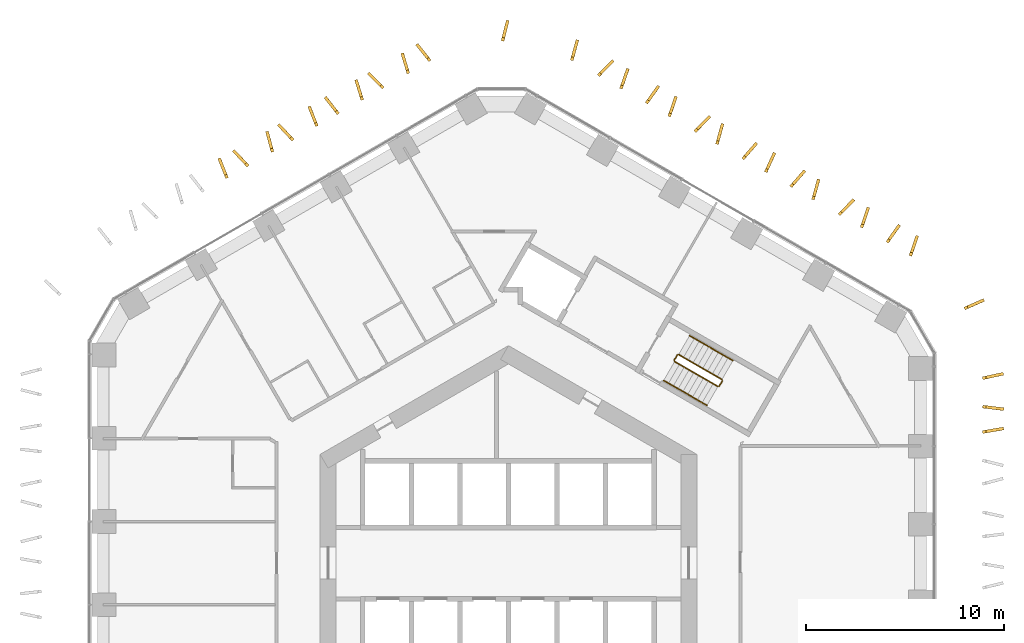
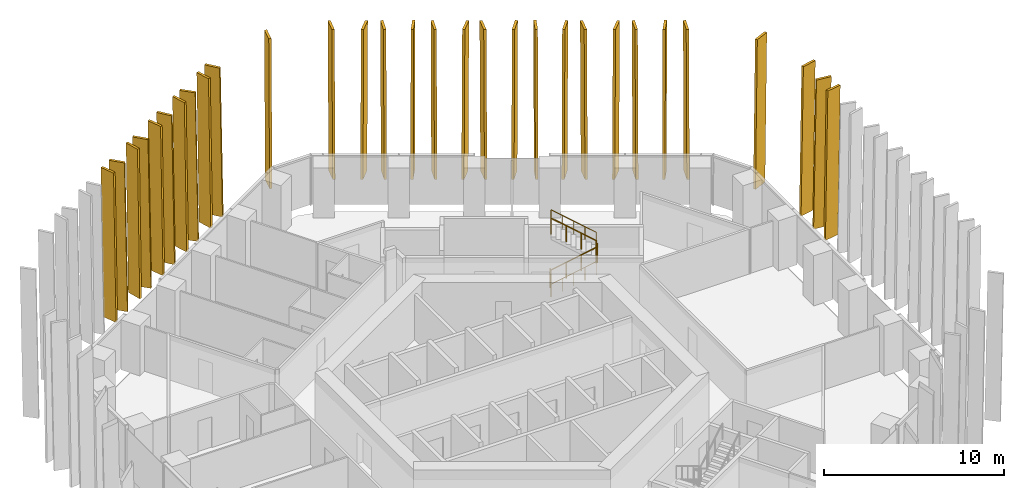
# One storey, part 19 of 19: 30 shading devices, 8 railings.
"""IFC4 building model written with IfcOpenShell, lengths in metres."""

from ifc_helpers import new_model, si_unit, direction, frame, origin, origin_2d, place, context, subcontext, project, spatial, polyline, circle, outline, extrude, material, layer, layer_set, type_object, element, save


model = new_model("IFC4")

# Units and contexts
model_context = context("Model", 3, precision=1e-05, world=origin(), true_north=direction((0.0, 1.0)))
body_context = subcontext(model_context, "Body", "Model", "MODEL_VIEW")
ifc_project = project(units=[si_unit("LENGTHUNIT", "METRE"), si_unit("AREAUNIT", "SQUARE_METRE"), si_unit("VOLUMEUNIT", "CUBIC_METRE"), si_unit("PLANEANGLEUNIT", "RADIAN"), si_unit("MASSUNIT", "GRAM", prefix="KILO")], contexts=[model_context])

# Site, building, storey
site_placement = place(None, origin())
site = spatial("IfcSite", under=ifc_project, at=site_placement, CompositionType="ELEMENT")
building_placement = place(site_placement, origin())
building = spatial("IfcBuilding", under=site, at=building_placement, Name="Ayvan Gate Tower", CompositionType="ELEMENT")
storey_placement = place(building_placement, frame((0.0, 0.0, 45.89990234375)))
storey = spatial("IfcBuildingStorey", under=building, at=storey_placement, Name="L11", CompositionType="ELEMENT", Elevation=45.89990234375)

# Shading devices
ifc_material_1 = material(Name="Bronze anodised aluminium", Category="aluminium")
ifc_layer = layer(ifc_material_1, 0.14990234375)
ifc_layer_set = layer_set([ifc_layer], Name="Bronze anodised aluminium")
shading_device_type = type_object("IfcShadingDeviceType", Name="Bronze fin 900 x 150", PredefinedType="USERDEFINED", material=ifc_layer_set)
shading_device_1_placement = place(storey_placement, frame((-3.8984375, 25.379150390625, 0.0), z_axis=(0.784507651284, 0.620119118546, 0.000154569265), x_axis=(-0.620119125954, 0.784507660655, 0.0)))
element("IfcShadingDevice", 1, at=shading_device_1_placement, inside=storey, type_object=shading_device_type, Name="Bronze fin FG03.1.1", ObjectType="FIN", PredefinedType="USERDEFINED", context=body_context, shape_type="SweptSolid", body=[
    extrude(outline(polyline([(0.0, 0.0), (0.8999971866563695, 0.0), (1.0751908851391143, 10.080078245414892), (0.17519369848274474, 10.080078245414892), (0.0, 0.0)])), origin(), (0.0, 0.0, -1.0), 0.14990234375),
])
shading_device_2_placement = place(storey_placement, frame((-4.978271484375, 24.718994140625, 0.0), z_axis=(0.957527131113, 0.288343155913, 0.000132742928), x_axis=(-0.288343158453, 0.957527139549, 0.0)))
element("IfcShadingDevice", 2, at=shading_device_2_placement, inside=storey, type_object=shading_device_type, Name="Bronze fin FG03.1.2", ObjectType="FIN", PredefinedType="USERDEFINED", context=body_context, shape_type="SweptSolid", body=[
    extrude(outline(polyline([(0.0, 0.0), (0.9000438427842659, 6.776263578034403e-21), (1.075101176813384, 10.08007821380894), (0.17505733402911802, 10.08007821380894), (0.0, 0.0)])), origin(), (0.0, 0.0, -1.0), 0.14990234375),
])
shading_device_3_placement = place(storey_placement, frame((-6.265869140625, 24.015625, 0.0), z_axis=(0.707106772787, 0.707106772787, 0.00015413585), x_axis=(-0.707106781187, 0.707106781187, 0.0)))
element("IfcShadingDevice", 3, at=shading_device_3_placement, inside=storey, type_object=shading_device_type, Name="Bronze fin FG03.1.3", ObjectType="FIN", PredefinedType="USERDEFINED", context=body_context, shape_type="SweptSolid", body=[
    extrude(outline(polyline([(0.0, 0.0), (0.900111024684243, 0.0), (1.075334018557374, 10.080078244740545), (0.17522299387313128, 10.080078244740545), (0.0, 0.0)])), origin(), (0.0, 0.0, -1.0), 0.14990234375),
])
shading_device_4_placement = place(storey_placement, frame((-7.30224609375, 23.3779296875, 0.0), z_axis=(0.956068897735, 0.293142010216, 0.000156941033), x_axis=(-0.29314201383, 0.956068909508, 2.0353e-08)))
element("IfcShadingDevice", 4, at=shading_device_4_placement, inside=storey, type_object=shading_device_type, Name="Bronze fin FG03.1.4", ObjectType="FIN", PredefinedType="USERDEFINED", context=body_context, shape_type="SweptSolid", body=[
    extrude(outline(polyline([(0.0, 0.0), (0.899920252455125, 6.776263578034403e-21), (1.0750351571015468, 10.080078227258268), (0.1751864725208921, 10.080078263889243), (0.0, 0.0)])), origin(), (0.0, 0.0, -1.0), 0.14990234375),
])
shading_device_5_placement = place(storey_placement, frame((-8.525146484375, 22.70751953125, 0.0), z_axis=(0.787545056934, 0.6162570585, 0.000145424872), x_axis=(-0.616257065015, 0.787545065263, -1.2153e-08)))
element("IfcShadingDevice", 5, at=shading_device_5_placement, inside=storey, type_object=shading_device_type, Name="Bronze fin FG03.1.5", ObjectType="FIN", PredefinedType="USERDEFINED", context=body_context, shape_type="SweptSolid", body=[
    extrude(outline(polyline([(0.0, 0.0), (0.9001872366298778, 1.3552527156068805e-20), (1.075304225865084, 10.080078244656733), (0.17530926097965524, 10.080078222779404), (0.0, 0.0)])), origin(), (0.0, 0.0, -1.0), 0.14990234375),
])
shading_device_6_placement = place(storey_placement, frame((-9.59033203125, 22.067626953125, 0.0), z_axis=(0.929845275734, 0.367950734111, 0.000143045525), x_axis=(-0.367950737878, 0.929845285246, 1.8039e-08)))
element("IfcShadingDevice", 6, at=shading_device_6_placement, inside=storey, type_object=shading_device_type, Name="Bronze fin FG03.1.6", ObjectType="FIN", PredefinedType="USERDEFINED", context=body_context, shape_type="SweptSolid", body=[
    extrude(outline(polyline([(0.0, 0.0), (0.9001022434387806, 0.0), (1.075230809834381, 10.080078208733719), (0.17521839811871526, 10.080078241205292), (0.0, 0.0)])), origin(), (0.0, 0.0, -1.0), 0.14990234375),
])
shading_device_7_placement = place(storey_placement, frame((-10.81396484375, 21.389404296875, 0.0), z_axis=(0.729198712596, 0.684301991266, 0.00014932253), x_axis=(-0.684301998897, 0.729198720724, 1.4768e-08)))
element("IfcShadingDevice", 7, at=shading_device_7_placement, inside=storey, type_object=shading_device_type, Name="Bronze fin FG03.1.7", ObjectType="FIN", PredefinedType="USERDEFINED", context=body_context, shape_type="SweptSolid", body=[
    extrude(outline(polyline([(0.0, 0.0), (0.9000439708308932, 0.0), (1.0751377782637999, 10.080078221501367), (0.1752608733506063, 10.080078248082346), (0.0, 0.0)])), origin(), (0.0, 0.0, -1.0), 0.14990234375),
])
shading_device_8_placement = place(storey_placement, frame((-11.830322265625, 20.75830078125, 0.0), z_axis=(0.965937142762, 0.258776757707, 0.000160947293), x_axis=(-0.258776761059, 0.965937155273, 0.0)))
element("IfcShadingDevice", 8, at=shading_device_8_placement, inside=storey, type_object=shading_device_type, Name="Bronze fin FG03.1.8", ObjectType="FIN", PredefinedType="USERDEFINED", context=body_context, shape_type="SweptSolid", body=[
    extrude(outline(polyline([(0.0, 0.0), (0.9000427831971298, 6.776263578034403e-21), (1.0751276739238345, 10.08007825555733), (0.17508489072670452, 10.08007825555733), (0.0, 0.0)])), origin(), (0.0, 0.0, -1.0), 0.14990234375),
])
shading_device_9_placement = place(storey_placement, frame((-13.08251953125, 20.07958984375, 0.0), z_axis=(0.729198712596, 0.684301991266, 0.00014932253), x_axis=(-0.684301998894, 0.729198720727, -1.4771e-08)))
element("IfcShadingDevice", 9, at=shading_device_9_placement, inside=storey, type_object=shading_device_type, Name="Bronze fin FG03.1.9", ObjectType="FIN", PredefinedType="USERDEFINED", context=body_context, shape_type="SweptSolid", body=[
    extrude(outline(polyline([(0.0, 0.0), (0.8998769049131942, 0.0), (1.0751374805137943, 10.08007825325928), (0.17509350968290158, 10.080078226673367), (0.0, 0.0)])), origin(), (0.0, 0.0, -1.0), 0.14990234375),
])
shading_device_10_placement = place(storey_placement, frame((-14.127197265625, 19.4482421875, 0.0), z_axis=(0.929845275734, 0.367950734111, 0.000143045525), x_axis=(-0.367950737873, 0.929845285248, -1.804e-08)))
element("IfcShadingDevice", 10, at=shading_device_10_placement, inside=storey, type_object=shading_device_type, Name="Bronze fin FG03.1.10", ObjectType="FIN", PredefinedType="USERDEFINED", context=body_context, shape_type="SweptSolid", body=[
    extrude(outline(polyline([(0.0, 0.0), (0.9000124117156665, 6.776263578034403e-21), (1.075230446154939, 10.080078247526997), (0.17512820271615884, 10.08007821505218), (0.0, 0.0)])), origin(), (0.0, 0.0, -1.0), 0.14990234375),
])
shading_device_11_placement = place(storey_placement, frame((23.928955078125, 6.53466796875, 0.0), z_axis=(0.167917139073, -0.985801104028, 0.000133053715), x_axis=(0.985801112754, 0.16791714056, 0.0)))
element("IfcShadingDevice", 11, at=shading_device_11_placement, inside=storey, type_object=shading_device_type, Name="Bronze fin FG03.9.77", ObjectType="FIN", PredefinedType="USERDEFINED", context=body_context, shape_type="SweptSolid", body=[
    extrude(outline(polyline([(0.0, 0.0), (0.8999858285529956, 0.0), (1.0753078369581042, 10.080078214225281), (0.17532200840510856, 10.080078214225281), (0.0, 0.0)])), origin(), (0.0, 0.0, -1.0), 0.14990234375),
])
shading_device_12_placement = place(storey_placement, frame((23.9091796875, 7.818359375, 0.0), z_axis=(-0.120193619605, -0.992750460801, 0.000128009675), x_axis=(0.992750468934, -0.12019362059, 0.0)))
element("IfcShadingDevice", 12, at=shading_device_12_placement, inside=storey, type_object=shading_device_type, Name="Bronze fin FG03.9.78", ObjectType="FIN", PredefinedType="USERDEFINED", context=body_context, shape_type="SweptSolid", body=[
    extrude(outline(polyline([(0.0, 0.0), (0.8998339208379718, 0.0), (1.075021119963464, 10.080078207588485), (0.17518719912549244, 10.080078207588485), (0.0, 0.0)])), origin(), (0.0, 0.0, -1.0), 0.14990234375),
])
shading_device_13_placement = place(storey_placement, frame((23.930419921875, 9.249755859375, 0.0), z_axis=(0.213510782706, -0.976940696979, 0.000142317936), x_axis=(0.976940706873, 0.213510784868, 0.0)))
element("IfcShadingDevice", 13, at=shading_device_13_placement, inside=storey, type_object=shading_device_type, Name="Bronze fin FG03.9.79", ObjectType="FIN", PredefinedType="USERDEFINED", context=body_context, shape_type="SweptSolid", body=[
    extrude(outline(polyline([(0.0, 0.0), (0.8999014827001781, 3.3881317890172014e-21), (1.0751472614123225, 10.080078227082943), (0.17524577871214445, 10.080078227082943), (0.0, 0.0)])), origin(), (0.0, 0.0, -1.0), 0.14990234375),
])
shading_device_14_placement = place(storey_placement, frame((23.03173828125, 12.77099609375, 0.0), z_axis=(0.404060917314, -0.914732066589, 0.000146470785), x_axis=(0.914732076402, 0.404060921646, -1.8174e-08)))
element("IfcShadingDevice", 14, at=shading_device_14_placement, inside=storey, type_object=shading_device_type, Name="Bronze fin FG03.10.80", ObjectType="FIN", PredefinedType="USERDEFINED", context=body_context, shape_type="SweptSolid", body=[
    extrude(outline(polyline([(0.0, 0.0), (0.899932439931201, -1.3552527156068805e-20), (1.0751853843685557, 10.080078252667619), (0.17515429675140598, 10.080078219955492), (0.0, 0.0)])), origin(), (0.0, 0.0, -1.0), 0.14990234375),
])
shading_device_15_placement = place(storey_placement, frame((20.345703125, 15.47412109375, 0.0), z_axis=(0.945279225247, -0.326262419162, 0.00014198174), x_axis=(0.326262422448, 0.945279234776, 1.8208e-08)))
element("IfcShadingDevice", 15, at=shading_device_15_placement, inside=storey, type_object=shading_device_type, Name="Bronze fin FG03.11.81", ObjectType="FIN", PredefinedType="USERDEFINED", context=body_context, shape_type="SweptSolid", body=[
    extrude(outline(polyline([(0.0, 0.0), (0.899785226011098, 0.0), (1.0749572782969268, 10.080078207028322), (0.1750923983740984, 10.08007823979647), (0.0, 0.0)])), origin(), (0.0, 0.0, -1.0), 0.14990234375),
])
shading_device_16_placement = place(storey_placement, frame((19.162353515625, 16.136474609375, 0.0), z_axis=(0.81576313658, -0.578386101493, 0.0001503228), x_axis=(0.578386108028, 0.815763145797, 0.0)))
element("IfcShadingDevice", 16, at=shading_device_16_placement, inside=storey, type_object=shading_device_type, Name="Bronze fin FG03.11.82", ObjectType="FIN", PredefinedType="USERDEFINED", context=body_context, shape_type="SweptSolid", body=[
    extrude(outline(polyline([(0.0, 0.0), (0.8999313871402703, -1.3552527156068805e-20), (1.0751322653545705, 10.080078238889485), (0.17520087821430005, 10.080078238889485), (0.0, 0.0)])), origin(), (0.0, 0.0, -1.0), 0.14990234375),
])
shading_device_17_placement = place(storey_placement, frame((17.879150390625, 16.898193359375, 0.0), z_axis=(0.9461300792, -0.323786738215, 0.000146251027), x_axis=(0.323786741681, 0.946130089317, -2.5195e-08)))
element("IfcShadingDevice", 17, at=shading_device_17_placement, inside=storey, type_object=shading_device_type, Name="Bronze fin FG03.11.83", ObjectType="FIN", PredefinedType="USERDEFINED", context=body_context, shape_type="SweptSolid", body=[
    extrude(outline(polyline([(0.0, 0.0), (0.8998430153849146, -6.776263578034403e-21), (1.0750113147468063, 10.080078259888335), (0.17501636006803542, 10.08007821454109), (0.0, 0.0)])), origin(), (0.0, 0.0, -1.0), 0.14990234375),
])
shading_device_18_placement = place(storey_placement, frame((16.728271484375, 17.5205078125, 0.0), z_axis=(0.712174472977, -0.702002489455, 0.000157605631), x_axis=(0.702002498175, 0.71217448182, -1.5007e-08)))
element("IfcShadingDevice", 18, at=shading_device_18_placement, inside=storey, type_object=shading_device_type, Name="Bronze fin FG03.11.84", ObjectType="FIN", PredefinedType="USERDEFINED", context=body_context, shape_type="SweptSolid", body=[
    extrude(outline(polyline([(0.0, 0.0), (0.8999610547009942, 0.0), (1.0752004735475627, 10.080078266327869), (0.1750655481234681, 10.08007823931365), (0.0, 0.0)])), origin(), (0.0, 0.0, -1.0), 0.14990234375),
])
shading_device_19_placement = place(storey_placement, frame((15.433349609375, 18.3115234375, 0.0), z_axis=(0.963529558282, -0.267601888864, 0.000139261925), x_axis=(0.267601891461, 0.963529567624, -1.8199e-08)))
element("IfcShadingDevice", 19, at=shading_device_19_placement, inside=storey, type_object=shading_device_type, Name="Bronze fin FG03.11.85", ObjectType="FIN", PredefinedType="USERDEFINED", context=body_context, shape_type="SweptSolid", body=[
    extrude(outline(polyline([(0.0, 0.0), (0.9000439675473473, -6.776263578034403e-21), (1.0752146684217743, 10.080078242313599), (0.1752360333674597, 10.080078209555271), (0.0, 0.0)])), origin(), (0.0, 0.0, -1.0), 0.14990234375),
])
shading_device_20_placement = place(storey_placement, frame((14.29736328125, 18.93310546875, 0.0), z_axis=(0.755693550164, -0.654925368582, 0.0001408134), x_axis=(0.654925375074, 0.755693557657, 1.4433e-08)))
element("IfcShadingDevice", 20, at=shading_device_20_placement, inside=storey, type_object=shading_device_type, Name="Bronze fin FG03.11.86", ObjectType="FIN", PredefinedType="USERDEFINED", context=body_context, shape_type="SweptSolid", body=[
    extrude(outline(polyline([(0.0, 0.0), (0.8999883073878978, 0.0), (1.075233547422928, 10.080078209416909), (0.17508534614463123, 10.080078235398654), (0.0, 0.0)])), origin(), (0.0, 0.0, -1.0), 0.14990234375),
])
shading_device_21_placement = place(storey_placement, frame((13.041748046875, 19.686279296875, 0.0), z_axis=(0.9084430624, -0.418008587387, 0.000152474225), x_axis=(0.418008592246, 0.90844307296, 0.0)))
element("IfcShadingDevice", 21, at=shading_device_21_placement, inside=storey, type_object=shading_device_type, Name="Bronze fin FG03.11.87", ObjectType="FIN", PredefinedType="USERDEFINED", context=body_context, shape_type="SweptSolid", body=[
    extrude(outline(polyline([(0.0, 0.0), (0.9000310283186577, 6.776263578034403e-21), (1.0750838349192409, 10.080078242172792), (0.17505280660058326, 10.080078242172792), (0.0, 0.0)])), origin(), (0.0, 0.0, -1.0), 0.14990234375),
])
shading_device_22_placement = place(storey_placement, frame((11.874755859375, 20.33154296875, 0.0), z_axis=(0.754874067006, -0.655869742731, 0.000153399639), x_axis=(0.655869750448, 0.754874075888, 0.0)))
element("IfcShadingDevice", 22, at=shading_device_22_placement, inside=storey, type_object=shading_device_type, Name="Bronze fin FG03.11.88", ObjectType="FIN", PredefinedType="USERDEFINED", context=body_context, shape_type="SweptSolid", body=[
    extrude(outline(polyline([(0.0, 0.0), (0.9000751000436222, 1.3552527156068805e-20), (1.0753183981743453, 10.080078243599427), (0.17524329813072306, 10.080078243599427), (0.0, 0.0)])), origin(), (0.0, 0.0, -1.0), 0.14990234375),
])
shading_device_23_placement = place(storey_placement, frame((10.587890625, 21.109130859375, 0.0), z_axis=(0.963688679295, -0.267028287297, 0.000152256178), x_axis=(0.267028290389, 0.963688690466, 1.9899e-08)))
element("IfcShadingDevice", 23, at=shading_device_23_placement, inside=storey, type_object=shading_device_type, Name="Bronze fin FG03.11.89", ObjectType="FIN", PredefinedType="USERDEFINED", context=body_context, shape_type="SweptSolid", body=[
    extrude(outline(polyline([(0.0, 0.0), (0.9000834362715342, -6.776263578034403e-21), (1.0752553957709845, 10.080078220441019), (0.17510676704574202, 10.080078256264475), (0.0, 0.0)])), origin(), (0.0, 0.0, -1.0), 0.14990234375),
])
shading_device_24_placement = place(storey_placement, frame((9.4599609375, 21.716796875, 0.0), z_axis=(0.712712837444, -0.701455907757, 0.000144274718), x_axis=(0.701455915056, 0.712712844863, 1.3724e-08)))
element("IfcShadingDevice", 24, at=shading_device_24_placement, inside=storey, type_object=shading_device_type, Name="Bronze fin FG03.11.90", ObjectType="FIN", PredefinedType="USERDEFINED", context=body_context, shape_type="SweptSolid", body=[
    extrude(outline(polyline([(0.0, 0.0), (0.9001402228113331, 0.0), (1.0752071621098593, 10.08007821515292), (0.17524094145791644, 10.080078239858137), (0.0, 0.0)])), origin(), (0.0, 0.0, -1.0), 0.14990234375),
])
shading_device_25_placement = place(storey_placement, frame((8.17724609375, 22.49951171875, 0.0), z_axis=(0.946005363107, -0.324150941624, 0.000141481747), x_axis=(0.324150944869, 0.946005372575, -6.221e-09)))
element("IfcShadingDevice", 25, at=shading_device_25_placement, inside=storey, type_object=shading_device_type, Name="Bronze fin FG03.11.91", ObjectType="FIN", PredefinedType="USERDEFINED", context=body_context, shape_type="SweptSolid", body=[
    extrude(outline(polyline([(0.0, 0.0), (0.8999221467985977, 0.0), (1.0751691356561357, 10.080078232575405), (0.17501603051462417, 10.080078221377326), (0.0, 0.0)])), origin(), (0.0, 0.0, -1.0), 0.14990234375),
])
shading_device_26_placement = place(storey_placement, frame((7.016357421875, 23.148681640625, 0.0), z_axis=(0.814914028169, -0.579581831286, 0.000165943859), x_axis=(0.579581839268, 0.814914039387, -1.8341e-08)))
element("IfcShadingDevice", 26, at=shading_device_26_placement, inside=storey, type_object=shading_device_type, Name="Bronze fin FG03.11.92", ObjectType="FIN", PredefinedType="USERDEFINED", context=body_context, shape_type="SweptSolid", body=[
    extrude(outline(polyline([(0.0, 0.0), (0.9000410558680485, 0.0), (1.0752393385926238, 10.080078283510257), (0.17533978219705312, 10.08007825049772), (0.0, 0.0)])), origin(), (0.0, 0.0, -1.0), 0.14990234375),
])
shading_device_27_placement = place(storey_placement, frame((5.74462890625, 23.90380859375, 0.0), z_axis=(0.944633949696, -0.328126008661, 0.000153366461), x_axis=(0.328126012523, 0.944633960805, -1.9651e-08)))
element("IfcShadingDevice", 27, at=shading_device_27_placement, inside=storey, type_object=shading_device_type, Name="Bronze fin FG03.11.93", ObjectType="FIN", PredefinedType="USERDEFINED", context=body_context, shape_type="SweptSolid", body=[
    extrude(outline(polyline([(0.0, 0.0), (0.8999628727234198, 6.776263578034403e-21), (1.0751316078001638, 10.080078264675286), (0.17524884396652013, 10.080078229306945), (0.0, 0.0)])), origin(), (0.0, 0.0, -1.0), 0.14990234375),
])
shading_device_28_placement = place(storey_placement, frame((4.58203125, 24.533203125, 0.0), z_axis=(0.71331857846, -0.700839911562, 0.00015487558), x_axis=(0.700839919964, 0.713318587018, 2.9707e-08)))
element("IfcShadingDevice", 28, at=shading_device_28_placement, inside=storey, type_object=shading_device_type, Name="Bronze fin FG03.11.94", ObjectType="FIN", PredefinedType="USERDEFINED", context=body_context, shape_type="SweptSolid", body=[
    extrude(outline(polyline([(0.0, 0.0), (0.8999749504695864, 0.0), (1.0752173180259934, 10.08007821395101), (0.17524541410598102, 10.080078267422262), (0.0, 0.0)])), origin(), (0.0, 0.0, -1.0), 0.14990234375),
])
shading_device_29_placement = place(storey_placement, frame((3.265625, 25.336669921875, 0.0), z_axis=(0.963758448892, -0.266776367713, 0.000147714361), x_axis=(0.266776370621, 0.963758459407, 1.9309e-08)))
element("IfcShadingDevice", 29, at=shading_device_29_placement, inside=storey, type_object=shading_device_type, Name="Bronze fin FG03.11.95", ObjectType="FIN", PredefinedType="USERDEFINED", context=body_context, shape_type="SweptSolid", body=[
    extrude(outline(polyline([(0.0, 0.0), (0.9000183053205618, -1.3552527156068805e-20), (1.075190623317589, 10.080078214210932), (0.17510718704716852, 10.080078248968285), (0.0, 0.0)])), origin(), (0.0, 0.0, -1.0), 0.14990234375),
])
shading_device_30_placement = place(storey_placement, frame((-0.2255859375, 26.315185546875, 0.0), z_axis=(0.96946046685, -0.245247589767, 0.000151422072), x_axis=(0.245247592578, 0.969460477964, 5.037e-09)))
element("IfcShadingDevice", 30, at=shading_device_30_placement, inside=storey, type_object=shading_device_type, Name="Bronze fin FG03.12.96", ObjectType="FIN", PredefinedType="USERDEFINED", context=body_context, shape_type="SweptSolid", body=[
    extrude(outline(polyline([(0.0, 0.0), (0.9000379814293907, -6.776263578034403e-21), (1.0751859921308597, 10.08007823514591), (0.17538469538847198, 10.0800782442111), (0.0, 0.0)])), origin(), (0.0, 0.0, -1.0), 0.14990234375),
])

# Railings
ifc_material_2 = material(Name="Stainless steel balustrade", Category="steel")
railing_type_1 = type_object("IfcRailingType", Name="RL-GUARD-1100", PredefinedType="GUARDRAIL", material=ifc_material_2)
railing_1_placement = place(storey_placement, frame((8.381103515625, 10.16650390625, 0.170166015625)))
element("IfcRailing", 31, at=railing_1_placement, inside=storey, type_object=railing_type_1, Name="L11 STS1 stair guard 1", PredefinedType="GUARDRAIL", context=body_context, shape_type="SweptSolid", body=[
    extrude(circle(Radius=0.02392578125, at=origin_2d()), frame((0.0, 0.0, 1.076171875), z_axis=(0.740261155115, -0.427395438142, 0.518986090067), x_axis=(0.500004791531, 0.866022637375, 0.0)), (0.0, 0.0, 1.0), 2.947998046875),
    extrude(circle(Radius=0.02099609375, at=origin_2d()), origin(), (0.0, 0.0, 1.0), 1.052001953125),
    extrude(circle(Radius=0.02099609375, at=origin_2d()), frame((0.7275390625, -0.419921875, 0.510009765625)), (0.0, 0.0, 1.0), 1.052001953125),
    extrude(circle(Radius=0.02099609375, at=origin_2d()), frame((1.454833984375, -0.840087890625, 1.02001953125)), (0.0, 0.0, 1.0), 1.052001953125),
    extrude(circle(Radius=0.02099609375, at=origin_2d()), frame((2.182373046875, -1.260009765625, 1.530029296875)), (0.0, 0.0, 1.0), 1.052001953125),
])
railing_2_placement = place(storey_placement, frame((10.6318359375, 8.9248046875, 1.7001953125)))
element("IfcRailing", 32, at=railing_2_placement, inside=storey, type_object=railing_type_1, Name="L11 STS1 stair guard 2", PredefinedType="GUARDRAIL", context=body_context, shape_type="SweptSolid", body=[
    extrude(circle(Radius=0.02392578125, at=origin_2d()), frame((0.0, 0.0, 1.076171875), z_axis=(0.499949632511, 0.866054481515, 0.0), x_axis=(-0.866054481515, 0.499949632511, 0.0)), (0.0, 0.0, 1.0), 0.31005859375),
    extrude(circle(Radius=0.02099609375, at=origin_2d()), origin(), (0.0, 0.0, 1.0), 1.052001953125),
    extrude(circle(Radius=0.02099609375, at=origin_2d()), frame((0.155029296875, 0.2685546875, 0.0)), (0.0, 0.0, 1.0), 1.052001953125),
])
railing_3_placement = place(storey_placement, frame((10.7685546875, 9.261474609375, 1.8701171875)))
element("IfcRailing", 33, at=railing_3_placement, inside=storey, type_object=railing_type_1, Name="L11 STS1 stair guard 3", PredefinedType="GUARDRAIL", context=body_context, shape_type="SweptSolid", body=[
    extrude(circle(Radius=0.02392578125, at=origin_2d()), frame((0.0, 0.0, 1.076171875), z_axis=(-0.740261155115, 0.427395438142, 0.518986090067), x_axis=(-0.500004791531, -0.866022637375, 0.0)), (0.0, 0.0, 1.0), 2.947998046875),
    extrude(circle(Radius=0.02099609375, at=origin_2d()), origin(), (0.0, 0.0, 1.0), 1.052001953125),
    extrude(circle(Radius=0.02099609375, at=origin_2d()), frame((-0.7275390625, 0.419921875, 0.510009765625)), (0.0, 0.0, 1.0), 1.052001953125),
    extrude(circle(Radius=0.02099609375, at=origin_2d()), frame((-1.454833984375, 0.840087890625, 1.02001953125)), (0.0, 0.0, 1.0), 1.052001953125),
    extrude(circle(Radius=0.02099609375, at=origin_2d()), frame((-2.182373046875, 1.260009765625, 1.530029296875)), (0.0, 0.0, 1.0), 1.052001953125),
])
railing_4_placement = place(storey_placement, frame((8.36279296875, 10.23486328125, 0.0)))
element("IfcRailing", 34, at=railing_4_placement, inside=storey, type_object=railing_type_1, Name="L11 STS1 stair guard 4", PredefinedType="GUARDRAIL", context=body_context, shape_type="SweptSolid", body=[
    extrude(circle(Radius=0.02392578125, at=origin_2d()), frame((0.0, 0.0, 1.076171875), z_axis=(0.500290723946, 0.86585748916, 0.0), x_axis=(-0.86585748916, 0.500290723946, 0.0)), (0.0, 0.0, 1.0), 0.309814453125),
    extrude(circle(Radius=0.02099609375, at=origin_2d()), origin(), (0.0, 0.0, 1.0), 1.052001953125),
    extrude(circle(Radius=0.02099609375, at=origin_2d()), frame((0.155029296875, 0.268310546875, 0.0)), (0.0, 0.0, 1.0), 1.052001953125),
])
railing_type_2 = type_object("IfcRailingType", Name="RL-HANDRAIL-900", PredefinedType="HANDRAIL", material=ifc_material_2)
railing_5_placement = place(storey_placement, frame((7.8310546875, 9.2138671875, 0.170166015625)))
element("IfcRailing", 35, at=railing_5_placement, inside=storey, type_object=railing_type_2, Name="L11 STS1 stair handrail 1", PredefinedType="HANDRAIL", context=body_context, shape_type="SweptSolid", body=[
    extrude(circle(Radius=0.02392578125, at=origin_2d()), frame((0.0, 0.0, 0.8759765625), z_axis=(0.740356597536, -0.427319915356, 0.518912129772), x_axis=(0.499890179513, 0.866088799389, 0.0)), (0.0, 0.0, 1.0), 1.47412109375),
    extrude(circle(Radius=0.02099609375, at=origin_2d()), origin(), (0.0, 0.0, 1.0), 0.851806640625),
    extrude(circle(Radius=0.02099609375, at=origin_2d()), frame((0.545654296875, -0.31494140625, 0.38232421875)), (0.0, 0.0, 1.0), 0.851806640625),
    extrude(circle(Radius=0.02099609375, at=origin_2d()), frame((1.09130859375, -0.6298828125, 0.764892578125)), (0.0, 0.0, 1.0), 0.851806640625),
])
railing_6_placement = place(storey_placement, frame((8.92236328125, 8.583984375, 0.93505859375)))
element("IfcRailing", 36, at=railing_6_placement, inside=storey, type_object=railing_type_2, Name="L11 STS1 stair handrail 2", PredefinedType="HANDRAIL", context=body_context, shape_type="SweptSolid", body=[
    extrude(circle(Radius=0.02392578125, at=origin_2d()), frame((0.0, 0.0, 0.8759765625), z_axis=(0.740165700939, -0.427470949681, 0.519060037311), x_axis=(0.50011940292, 0.865956455501, 0.0)), (0.0, 0.0, 1.0), 1.47412109375),
    extrude(circle(Radius=0.02099609375, at=origin_2d()), origin(), (0.0, 0.0, 1.0), 0.851806640625),
    extrude(circle(Radius=0.02099609375, at=origin_2d()), frame((0.54541015625, -0.31494140625, 0.382568359375)), (0.0, 0.0, 1.0), 0.851806640625),
    extrude(circle(Radius=0.02099609375, at=origin_2d()), frame((1.091064453125, -0.630126953125, 0.76513671875)), (0.0, 0.0, 1.0), 0.851806640625),
])
railing_7_placement = place(storey_placement, frame((11.318603515625, 10.214111328125, 1.8701171875)))
element("IfcRailing", 37, at=railing_7_placement, inside=storey, type_object=railing_type_2, Name="L11 STS1 stair handrail 3", PredefinedType="HANDRAIL", context=body_context, shape_type="SweptSolid", body=[
    extrude(circle(Radius=0.02392578125, at=origin_2d()), frame((0.0, 0.0, 0.8759765625), z_axis=(-0.740304193401, 0.427455284825, 0.518875399983), x_axis=(-0.500035496587, -0.86600490885, 0.0)), (0.0, 0.0, 1.0), 1.47412109375),
    extrude(circle(Radius=0.02099609375, at=origin_2d()), origin(), (0.0, 0.0, 1.0), 0.851806640625),
    extrude(circle(Radius=0.02099609375, at=origin_2d()), frame((-0.545654296875, 0.31494140625, 0.38232421875)), (0.0, 0.0, 1.0), 0.851806640625),
    extrude(circle(Radius=0.02099609375, at=origin_2d()), frame((-1.09130859375, 0.630126953125, 0.764892578125)), (0.0, 0.0, 1.0), 0.851806640625),
])
railing_8_placement = place(storey_placement, frame((10.227294921875, 10.84423828125, 2.635009765625)))
element("IfcRailing", 38, at=railing_8_placement, inside=storey, type_object=railing_type_2, Name="L11 STS1 stair handrail 4", PredefinedType="HANDRAIL", context=body_context, shape_type="SweptSolid", body=[
    extrude(circle(Radius=0.02392578125, at=origin_2d()), frame((0.0, 0.0, 0.8759765625), z_axis=(-0.740292964666, 0.42728318766, 0.519033143459), x_axis=(-0.499890179513, -0.866088799389, 0.0)), (0.0, 0.0, 1.0), 1.47412109375),
    extrude(circle(Radius=0.02099609375, at=origin_2d()), origin(), (0.0, 0.0, 1.0), 0.851806640625),
    extrude(circle(Radius=0.02099609375, at=origin_2d()), frame((-0.545654296875, 0.31494140625, 0.382568359375)), (0.0, 0.0, 1.0), 0.851806640625),
    extrude(circle(Radius=0.02099609375, at=origin_2d()), frame((-1.09130859375, 0.6298828125, 0.76513671875)), (0.0, 0.0, 1.0), 0.851806640625),
])

save(model, "model.ifc")
